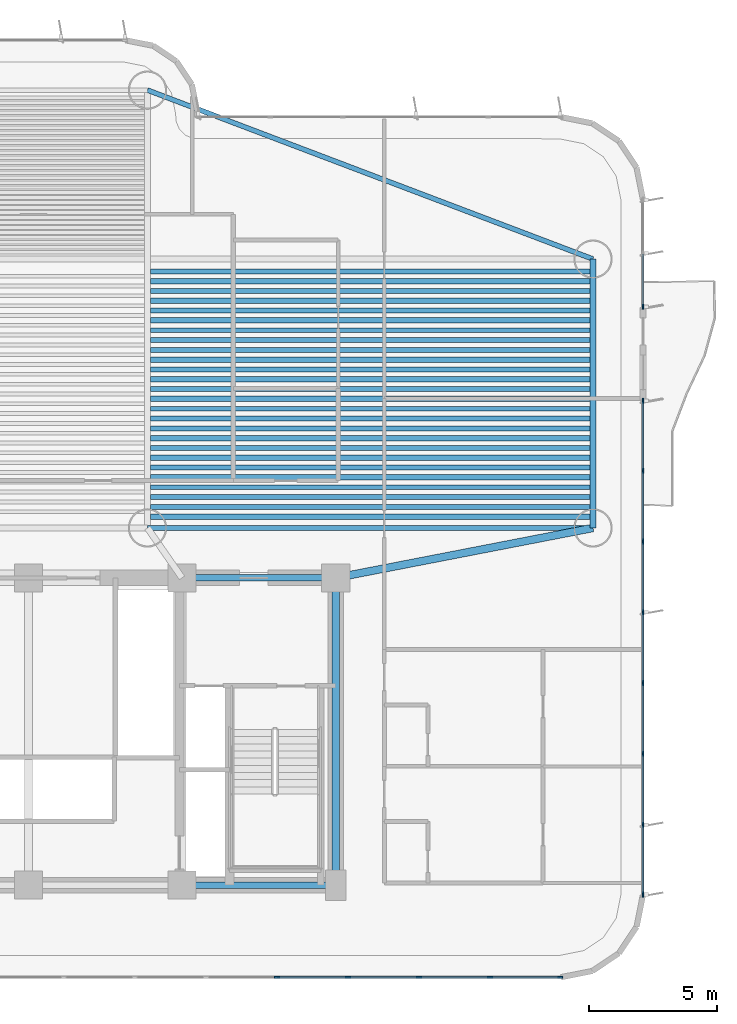
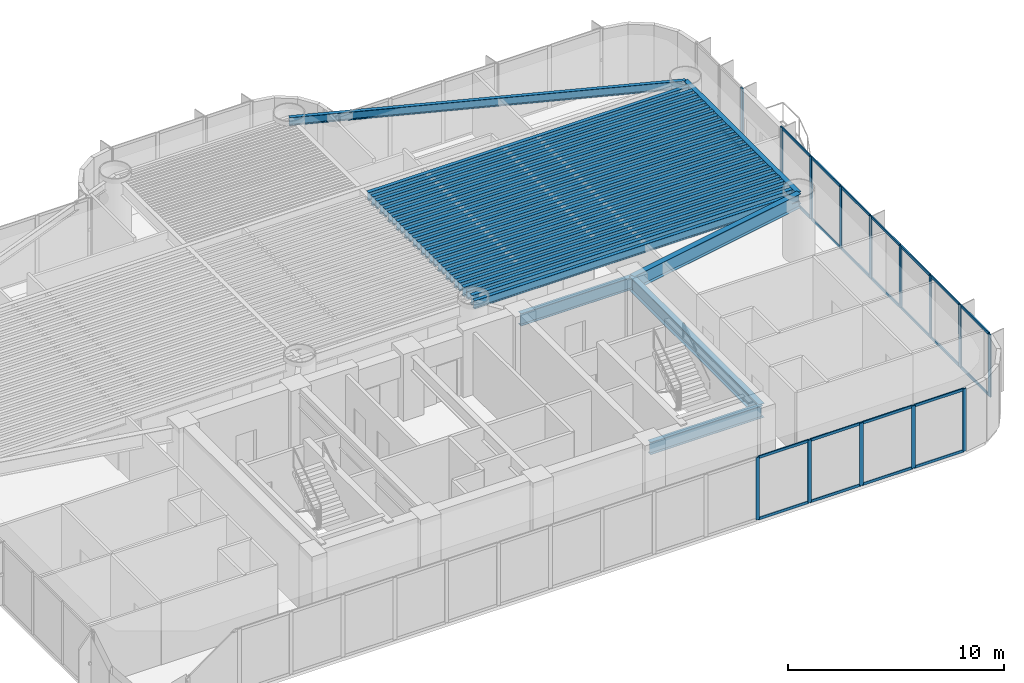
# One storey, part 5 of 17: 37 members, 33 beams, 3 elements without a shape of their own.
"""IFC4 building model written with IfcOpenShell, lengths in metres."""

from ifc_helpers import new_model, si_unit, direction, frame, origin, origin_2d, place, context, subcontext, project, spatial, rectangle, i_section, extrude, source, transform, mapped, material, layer, layer_set, material_profile, profile_set, type_object, element, aggregate, save


model = new_model("IFC4")

# Units and contexts
model_context = context("Model", 3, precision=1e-05, world=origin(), true_north=direction((0.0, 1.0)))
body_context = subcontext(model_context, "Body", "Model", "MODEL_VIEW")
ifc_project = project(units=[si_unit("LENGTHUNIT", "METRE"), si_unit("AREAUNIT", "SQUARE_METRE"), si_unit("VOLUMEUNIT", "CUBIC_METRE"), si_unit("PLANEANGLEUNIT", "RADIAN"), si_unit("MASSUNIT", "GRAM", prefix="KILO")], contexts=[model_context])

# Site, building, storey
site_placement = place(None, origin())
site = spatial("IfcSite", under=ifc_project, at=site_placement, CompositionType="ELEMENT")
building_placement = place(site_placement, origin())
building = spatial("IfcBuilding", under=site, at=building_placement, Name="Brelvock Crest Care Tower", CompositionType="ELEMENT")
storey_placement = place(building_placement, frame((0.0, 0.0, 53.4599609375)))
storey = spatial("IfcBuildingStorey", under=building, at=storey_placement, Name="L13", CompositionType="ELEMENT", Elevation=53.4599609375)

# Beams
ifc_material_1 = material(Name="Steel Grade 350", Category="steel")
ifc_material_profile_1 = material_profile(ifc_material_1, i_section(OverallWidth=0.25, OverallDepth=0.699951171875, WebThickness=0.011962890625, FlangeThickness=0.02001953125, at=origin_2d()), Name="700WB150")
ifc_profile_set_1 = profile_set([ifc_material_profile_1], Name="Steel Grade 350")
beam_type_1 = type_object("IfcBeamType", Name="BM-G4", PredefinedType="BEAM", material=ifc_profile_set_1)
shared_shape_1 = source(origin(), body_context, "Body", "SweptSolid", [
    extrude(i_section(OverallWidth=0.25, OverallDepth=0.699951171875, WebThickness=0.011962890625, FlangeThickness=0.02001953125, at=origin_2d()), origin(), (0.0, 0.0, 1.0), 6.0),
])
for number, where, z_axis, x_axis, name in (
    (1, (42.0, 6.0, 3.179931640625), (1.0, 0.0, 0.0), (0.0, 1.0, 0.0), "BM-CORES-L13-4"),
    (2, (42.0, 18.0, 3.179931640625), (1.0, 0.0, 0.0), (0.0, 1.0, 0.0), "BM-COREN-L13-4"),
):
    element("IfcBeam", number, at=place(storey_placement, frame(where, z_axis=z_axis, x_axis=x_axis)), inside=storey, type_object=beam_type_1, Name=name, PredefinedType="BEAM", context=body_context, shape_type="MappedRepresentation", body=[
        mapped(shared_shape_1, transform((0.0, 0.0, 0.0), x_axis=(1.0, 0.0, 0.0), y_axis=(0.0, 1.0, 0.0), z_axis=(0.0, 0.0, 1.0), scale=1.0)),
    ])
ifc_material_profile_2 = material_profile(ifc_material_1, i_section(OverallWidth=0.300048828125, OverallDepth=0.800048828125, WebThickness=0.013916015625, FlangeThickness=0.02197265625, at=origin_2d()), Name="800WB192")
ifc_profile_set_2 = profile_set([ifc_material_profile_2], Name="Steel Grade 350")
beam_type_2 = type_object("IfcBeamType", Name="BM-G5", PredefinedType="BEAM", material=ifc_profile_set_2)
shared_shape_2 = source(origin(), body_context, "Body", "SweptSolid", [
    extrude(i_section(OverallWidth=0.300048828125, OverallDepth=0.800048828125, WebThickness=0.013916015625, FlangeThickness=0.02197265625, at=origin_2d()), origin(), (0.0, 0.0, 1.0), 12.0),
])
beam_1_placement = place(storey_placement, frame((48.0, 6.0, 3.130126953125), z_axis=(0.0, 1.0, 0.0), x_axis=(-1.0, 0.0, 0.0)))
element("IfcBeam", 3, at=beam_1_placement, inside=storey, type_object=beam_type_2, Name="BM-COREX-L13-5", PredefinedType="BEAM", context=body_context, shape_type="MappedRepresentation", body=[
    mapped(shared_shape_2, transform((0.0, 0.0, 0.0), x_axis=(1.0, 0.0, 0.0), y_axis=(0.0, 1.0, 0.0), z_axis=(0.0, 0.0, 1.0), scale=1.0)),
])
shared_shape_3 = source(origin(), body_context, "Body", "SweptSolid", [
    extrude(i_section(OverallWidth=0.25, OverallDepth=0.699951171875, WebThickness=0.011962890625, FlangeThickness=0.02001953125, at=origin_2d()), origin(), (0.0, 0.0, 1.0), 10.5),
])
beam_2_placement = place(storey_placement, frame((58.050048828125, 19.949951171875, 3.179931640625), z_axis=(0.0, 1.0, 0.0), x_axis=(-1.0, 0.0, 0.0)))
element("IfcBeam", 4, at=beam_2_placement, inside=storey, type_object=beam_type_1, Name="BM-TWR-L13-02", PredefinedType="BEAM", context=body_context, shape_type="MappedRepresentation", body=[
    mapped(shared_shape_3, transform((0.0, 0.0, 0.0), x_axis=(1.0, 0.0, 0.0), y_axis=(0.0, 1.0, 0.0), z_axis=(0.0, 0.0, 1.0), scale=1.0)),
])
ifc_material_profile_3 = material_profile(ifc_material_1, i_section(OverallWidth=0.19091796875, OverallDepth=0.4599609375, WebThickness=0.010009765625, FlangeThickness=0.01611328125, FilletRadius=0.011474609375, at=origin_2d()), Name="460UB82.1")
ifc_profile_set_3 = profile_set([ifc_material_profile_3], Name="Steel Grade 350")
beam_type_3 = type_object("IfcBeamType", Name="BM-SP2", PredefinedType="SPANDREL", material=ifc_profile_set_3)
shared_shape_4 = source(origin(), body_context, "Body", "SweptSolid", [
    extrude(i_section(OverallWidth=0.19091796875, OverallDepth=0.4599609375, WebThickness=0.010009765625, FlangeThickness=0.01611328125, FilletRadius=0.011474609375, at=origin_2d()), origin(), (0.0, 0.0, 1.0), 17.400146484375),
])
beam_3_placement = place(storey_placement, frame((40.64990234375, 19.949951171875, 3.300048828125), z_axis=(1.0, 0.0, 0.0), x_axis=(0.0, 1.0, 0.0)))
element("IfcBeam", 5, at=beam_3_placement, inside=storey, type_object=beam_type_3, Name="BM-TWR-L13-04", PredefinedType="SPANDREL", context=body_context, shape_type="MappedRepresentation", body=[
    mapped(shared_shape_4, transform((0.0, 0.0, 0.0), x_axis=(1.0, 0.0, 0.0), y_axis=(0.0, 1.0, 0.0), z_axis=(0.0, 0.0, 1.0), scale=1.0)),
])
shared_shape_5 = source(origin(), body_context, "Body", "SweptSolid", [
    extrude(i_section(OverallWidth=0.19091796875, OverallDepth=0.4599609375, WebThickness=0.010009765625, FlangeThickness=0.01611328125, FilletRadius=0.011474609375, at=origin_2d()), origin(), (0.0, 0.0, 1.0), 18.60986328125),
])
beam_4_placement = place(storey_placement, frame((40.64990234375, 37.050048828125, 3.300048828125), z_axis=(0.934996776275, -0.3546562115, 0.0), x_axis=(0.3546562115, 0.934996776275, 0.0)))
element("IfcBeam", 6, at=beam_4_placement, inside=storey, type_object=beam_type_3, Name="BM-TWR-L13-07", PredefinedType="SPANDREL", context=body_context, shape_type="MappedRepresentation", body=[
    mapped(shared_shape_5, transform((0.0, 0.0, 0.0), x_axis=(1.0, 0.0, 0.0), y_axis=(0.0, 1.0, 0.0), z_axis=(0.0, 0.0, 1.0), scale=1.0)),
])
shared_shape_6 = source(origin(), body_context, "Body", "SweptSolid", [
    extrude(i_section(OverallWidth=0.300048828125, OverallDepth=0.800048828125, WebThickness=0.013916015625, FlangeThickness=0.02197265625, at=origin_2d()), origin(), (0.0, 0.0, 1.0), 10.237548828125),
])
beam_5_placement = place(storey_placement, frame((48.0, 18.0, 3.130126953125), z_axis=(0.981692632568, 0.190471979991, 0.0), x_axis=(-0.190471979991, 0.981692632568, 0.0)))
element("IfcBeam", 7, at=beam_5_placement, inside=storey, type_object=beam_type_2, Name="BM-THRO-E-L13", PredefinedType="BEAM", context=body_context, shape_type="MappedRepresentation", body=[
    mapped(shared_shape_6, transform((0.0, 0.0, 0.0), x_axis=(1.0, 0.0, 0.0), y_axis=(0.0, 1.0, 0.0), z_axis=(0.0, 0.0, 1.0), scale=1.0)),
])
ifc_material_profile_4 = material_profile(ifc_material_1, i_section(OverallWidth=0.208984375, OverallDepth=0.532958984375, WebThickness=0.01025390625, FlangeThickness=0.015625, FilletRadius=0.013916015625, at=origin_2d()), Name="530UB92.4")
ifc_profile_set_4 = profile_set([ifc_material_profile_4], Name="Steel Grade 350")
beam_type_4 = type_object("IfcBeamType", Name="BM-G2", PredefinedType="BEAM", material=ifc_profile_set_4)
shared_shape_7 = source(origin(), body_context, "Body", "SweptSolid", [
    extrude(i_section(OverallWidth=0.208984375, OverallDepth=0.532958984375, WebThickness=0.01025390625, FlangeThickness=0.015625, FilletRadius=0.013916015625, at=origin_2d()), origin(), (0.0, 0.0, 1.0), 17.170166015625),
])
for number, where, z_axis, x_axis, name in (
    (8, (40.764892578125, 20.39111328125, 3.263427734375), (1.0, 0.0, 0.0), (0.0, 1.0, 0.0), "BM-JE-L13-1"),
    (9, (40.764892578125, 21.157470703125, 3.263427734375), (1.0, 0.0, 0.0), (0.0, 1.0, 0.0), "BM-JE-L13-3"),
    (10, (40.764892578125, 21.924072265625, 3.263427734375), (1.0, 0.0, 0.0), (0.0, 1.0, 0.0), "BM-JE-L13-5"),
    (11, (40.764892578125, 22.6904296875, 3.263427734375), (1.0, 0.0, 0.0), (0.0, 1.0, 0.0), "BM-JE-L13-7"),
    (12, (40.764892578125, 23.45703125, 3.263427734375), (1.0, 0.0, 0.0), (0.0, 1.0, 0.0), "BM-JE-L13-9"),
    (13, (40.764892578125, 24.223388671875, 3.263427734375), (1.0, 0.0, 0.0), (0.0, 1.0, 0.0), "BM-JE-L13-11"),
    (14, (40.764892578125, 24.989990234375, 3.263427734375), (1.0, 0.0, 0.0), (0.0, 1.0, 0.0), "BM-JE-L13-13"),
    (15, (40.764892578125, 25.756591796875, 3.263427734375), (1.0, 0.0, 0.0), (0.0, 1.0, 0.0), "BM-JE-L13-15"),
    (16, (40.764892578125, 26.52294921875, 3.263427734375), (1.0, 0.0, 0.0), (0.0, 1.0, 0.0), "BM-JE-L13-17"),
    (17, (40.764892578125, 27.28955078125, 3.263427734375), (1.0, 0.0, 0.0), (0.0, 1.0, 0.0), "BM-JE-L13-19"),
    (18, (40.764892578125, 28.055908203125, 3.263427734375), (1.0, 0.0, 0.0), (0.0, 1.0, 0.0), "BM-JE-L13-21"),
    (19, (40.764892578125, 28.822509765625, 3.263427734375), (1.0, 0.0, 0.0), (0.0, 1.0, 0.0), "BM-JE-L13-23"),
    (20, (40.764892578125, 29.589111328125, 3.263427734375), (1.0, 0.0, 0.0), (0.0, 1.0, 0.0), "BM-JE-L13-25"),
):
    element("IfcBeam", number, at=place(storey_placement, frame(where, z_axis=z_axis, x_axis=x_axis)), inside=storey, type_object=beam_type_4, Name=name, PredefinedType="BEAM", context=body_context, shape_type="MappedRepresentation", body=[
        mapped(shared_shape_7, transform((0.0, 0.0, 0.0), x_axis=(1.0, 0.0, 0.0), y_axis=(0.0, 1.0, 0.0), z_axis=(0.0, 0.0, 1.0), scale=1.0)),
    ])
ifc_material_profile_5 = material_profile(ifc_material_1, i_section(OverallWidth=0.19091796875, OverallDepth=0.4599609375, WebThickness=0.010009765625, FlangeThickness=0.01611328125, FilletRadius=0.011474609375, at=origin_2d()), Name="460UB82.1")
ifc_profile_set_5 = profile_set([ifc_material_profile_5], Name="Steel Grade 350")
beam_type_5 = type_object("IfcBeamType", Name="BM-G3", PredefinedType="BEAM", material=ifc_profile_set_5)
shared_shape_8 = source(origin(), body_context, "Body", "SweptSolid", [
    extrude(i_section(OverallWidth=0.19091796875, OverallDepth=0.4599609375, WebThickness=0.010009765625, FlangeThickness=0.01611328125, FilletRadius=0.011474609375, at=origin_2d()), origin(), (0.0, 0.0, 1.0), 17.170166015625),
])
for number, where, z_axis, x_axis, name in (
    (21, (40.764892578125, 20.774169921875, 3.300048828125), (1.0, 0.0, 0.0), (0.0, 1.0, 0.0), "BM-JE-L13-2"),
    (22, (40.764892578125, 21.540771484375, 3.300048828125), (1.0, 0.0, 0.0), (0.0, 1.0, 0.0), "BM-JE-L13-4"),
    (23, (40.764892578125, 22.30712890625, 3.300048828125), (1.0, 0.0, 0.0), (0.0, 1.0, 0.0), "BM-JE-L13-6"),
    (24, (40.764892578125, 23.07373046875, 3.300048828125), (1.0, 0.0, 0.0), (0.0, 1.0, 0.0), "BM-JE-L13-8"),
    (25, (40.764892578125, 23.840087890625, 3.300048828125), (1.0, 0.0, 0.0), (0.0, 1.0, 0.0), "BM-JE-L13-10"),
    (26, (40.764892578125, 24.606689453125, 3.300048828125), (1.0, 0.0, 0.0), (0.0, 1.0, 0.0), "BM-JE-L13-12"),
    (27, (40.764892578125, 25.373291015625, 3.300048828125), (1.0, 0.0, 0.0), (0.0, 1.0, 0.0), "BM-JE-L13-14"),
    (28, (40.764892578125, 26.1396484375, 3.300048828125), (1.0, 0.0, 0.0), (0.0, 1.0, 0.0), "BM-JE-L13-16"),
    (29, (40.764892578125, 26.90625, 3.300048828125), (1.0, 0.0, 0.0), (0.0, 1.0, 0.0), "BM-JE-L13-18"),
    (30, (40.764892578125, 27.6728515625, 3.300048828125), (1.0, 0.0, 0.0), (0.0, 1.0, 0.0), "BM-JE-L13-20"),
    (31, (40.764892578125, 28.439208984375, 3.300048828125), (1.0, 0.0, 0.0), (0.0, 1.0, 0.0), "BM-JE-L13-22"),
    (32, (40.764892578125, 29.205810546875, 3.300048828125), (1.0, 0.0, 0.0), (0.0, 1.0, 0.0), "BM-JE-L13-24"),
    (33, (40.764892578125, 29.97216796875, 3.300048828125), (1.0, 0.0, 0.0), (0.0, 1.0, 0.0), "BM-JE-L13-26"),
):
    element("IfcBeam", number, at=place(storey_placement, frame(where, z_axis=z_axis, x_axis=x_axis)), inside=storey, type_object=beam_type_5, Name=name, PredefinedType="BEAM", context=body_context, shape_type="MappedRepresentation", body=[
        mapped(shared_shape_8, transform((0.0, 0.0, 0.0), x_axis=(1.0, 0.0, 0.0), y_axis=(0.0, 1.0, 0.0), z_axis=(0.0, 0.0, 1.0), scale=1.0)),
    ])

# Curtain wall, member
ifc_material_2 = material(Name="Dark Glass Double Glazed Low-E", Category="glass")
ifc_layer = layer(ifc_material_2, 0.195068359375, Name="CWS-2")
ifc_layer_set = layer_set([ifc_layer], Name="Dark Glass Double Glazed Low-E")
curtain_wall_type = type_object("IfcCurtainWallType", Name="CWS-2", PredefinedType="NOTDEFINED", material=ifc_layer_set)
curtain_wall_1_placement = place(storey_placement, origin())
curtain_wall_1 = element("IfcCurtainWall", 34, at=curtain_wall_1_placement, inside=storey, type_object=curtain_wall_type, Name="L13 Curtain Wall E03A", PredefinedType="NOTDEFINED")
ifc_material_3 = material(Name="Aluminium 6063-T6", Category="aluminium")
ifc_material_profile_6 = material_profile(ifc_material_3, rectangle(XDim=0.06494140625, YDim=0.199951171875, at=origin_2d()), Name="ALU65x200")
ifc_profile_set_6 = profile_set([ifc_material_profile_6], Name="Aluminium 6063-T6")
member_type_1 = type_object("IfcMemberType", Name="CWM-1", PredefinedType="MULLION", material=ifc_profile_set_6)
shared_shape_9 = source(origin(), body_context, "Body", "SweptSolid", [
    extrude(rectangle(XDim=0.06494140625, YDim=0.199951171875, at=origin_2d()), origin(), (0.0, 0.0, 1.0), 3.530029296875),
])
member_1_placement = place(storey_placement, frame((60.0, 28.58251953125, 0.0), z_axis=(0.0, 0.0, 1.0), x_axis=(1.0, 0.0, 0.0)))
member_1 = element("IfcMember", 35, at=member_1_placement, type_object=member_type_1, Name="CW-2 mullion 3", PredefinedType="MULLION", context=body_context, shape_type="MappedRepresentation", body=[
    mapped(shared_shape_9, transform((0.0, 0.0, 0.0), x_axis=(1.0, 0.0, 0.0), y_axis=(0.0, 1.0, 0.0), z_axis=(0.0, 0.0, 1.0), scale=1.0)),
])

# Curtain wall, members
curtain_wall_2_placement = place(storey_placement, origin())
curtain_wall_2 = element("IfcCurtainWall", 36, at=curtain_wall_2_placement, inside=storey, type_object=curtain_wall_type, Name="L13 Curtain Wall E03B", PredefinedType="NOTDEFINED")
member_2_placement = place(storey_placement, frame((60.0, 24.91748046875, 0.0), z_axis=(0.0, 0.0, 1.0), x_axis=(1.0, 0.0, 0.0)))
member_2 = element("IfcMember", 37, at=member_2_placement, type_object=member_type_1, Name="CW-2 mullion 1", PredefinedType="MULLION", context=body_context, shape_type="MappedRepresentation", body=[
    mapped(shared_shape_9, transform((0.0, 0.0, 0.0), x_axis=(1.0, 0.0, 0.0), y_axis=(0.0, 1.0, 0.0), z_axis=(0.0, 0.0, 1.0), scale=1.0)),
])
member_3_placement = place(storey_placement, frame((60.0, 22.185791015625, 0.0), z_axis=(0.0, 0.0, 1.0), x_axis=(1.0, 0.0, 0.0)))
member_3 = element("IfcMember", 38, at=member_3_placement, type_object=member_type_1, Name="CW-2 mullion 2", PredefinedType="MULLION", context=body_context, shape_type="MappedRepresentation", body=[
    mapped(shared_shape_9, transform((0.0, 0.0, 0.0), x_axis=(1.0, 0.0, 0.0), y_axis=(0.0, 1.0, 0.0), z_axis=(0.0, 0.0, 1.0), scale=1.0)),
])
member_4_placement = place(storey_placement, frame((60.0, 19.42138671875, 0.0), z_axis=(0.0, 0.0, 1.0), x_axis=(1.0, 0.0, 0.0)))
member_4 = element("IfcMember", 39, at=member_4_placement, type_object=member_type_1, Name="CW-2 mullion 3", PredefinedType="MULLION", context=body_context, shape_type="MappedRepresentation", body=[
    mapped(shared_shape_9, transform((0.0, 0.0, 0.0), x_axis=(1.0, 0.0, 0.0), y_axis=(0.0, 1.0, 0.0), z_axis=(0.0, 0.0, 1.0), scale=1.0)),
])
member_5_placement = place(storey_placement, frame((60.0, 16.6572265625, 0.0), z_axis=(0.0, 0.0, 1.0), x_axis=(1.0, 0.0, 0.0)))
member_5 = element("IfcMember", 40, at=member_5_placement, type_object=member_type_1, Name="CW-2 mullion 4", PredefinedType="MULLION", context=body_context, shape_type="MappedRepresentation", body=[
    mapped(shared_shape_9, transform((0.0, 0.0, 0.0), x_axis=(1.0, 0.0, 0.0), y_axis=(0.0, 1.0, 0.0), z_axis=(0.0, 0.0, 1.0), scale=1.0)),
])
member_6_placement = place(storey_placement, frame((60.0, 13.892822265625, 0.0), z_axis=(0.0, 0.0, 1.0), x_axis=(1.0, 0.0, 0.0)))
member_6 = element("IfcMember", 41, at=member_6_placement, type_object=member_type_1, Name="CW-2 mullion 5", PredefinedType="MULLION", context=body_context, shape_type="MappedRepresentation", body=[
    mapped(shared_shape_9, transform((0.0, 0.0, 0.0), x_axis=(1.0, 0.0, 0.0), y_axis=(0.0, 1.0, 0.0), z_axis=(0.0, 0.0, 1.0), scale=1.0)),
])
member_7_placement = place(storey_placement, frame((60.0, 11.128662109375, 0.0), z_axis=(0.0, 0.0, 1.0), x_axis=(1.0, 0.0, 0.0)))
member_7 = element("IfcMember", 42, at=member_7_placement, type_object=member_type_1, Name="CW-2 mullion 6", PredefinedType="MULLION", context=body_context, shape_type="MappedRepresentation", body=[
    mapped(shared_shape_9, transform((0.0, 0.0, 0.0), x_axis=(1.0, 0.0, 0.0), y_axis=(0.0, 1.0, 0.0), z_axis=(0.0, 0.0, 1.0), scale=1.0)),
])
member_8_placement = place(storey_placement, frame((60.0, 8.3642578125, 0.0), z_axis=(0.0, 0.0, 1.0), x_axis=(1.0, 0.0, 0.0)))
member_8 = element("IfcMember", 43, at=member_8_placement, type_object=member_type_1, Name="CW-2 mullion 7", PredefinedType="MULLION", context=body_context, shape_type="MappedRepresentation", body=[
    mapped(shared_shape_9, transform((0.0, 0.0, 0.0), x_axis=(1.0, 0.0, 0.0), y_axis=(0.0, 1.0, 0.0), z_axis=(0.0, 0.0, 1.0), scale=1.0)),
])
member_9_placement = place(storey_placement, frame((60.0, 5.632568359375, 0.0), z_axis=(0.0, 0.0, 1.0), x_axis=(1.0, 0.0, 0.0)))
member_9 = element("IfcMember", 44, at=member_9_placement, type_object=member_type_1, Name="CW-2 mullion 8", PredefinedType="MULLION", context=body_context, shape_type="MappedRepresentation", body=[
    mapped(shared_shape_9, transform((0.0, 0.0, 0.0), x_axis=(1.0, 0.0, 0.0), y_axis=(0.0, 1.0, 0.0), z_axis=(0.0, 0.0, 1.0), scale=1.0)),
])

curtain_wall_3_placement = place(storey_placement, origin())
curtain_wall_3 = element("IfcCurtainWall", 45, at=curtain_wall_3_placement, inside=storey, type_object=curtain_wall_type, Name="L13 Curtain Wall E08", PredefinedType="NOTDEFINED")
member_10_placement = place(storey_placement, frame((56.767578125, 2.39990234375, 0.0), z_axis=(0.0, 0.0, 1.0), x_axis=(0.0, -1.0, 0.0)))
member_10 = element("IfcMember", 46, at=member_10_placement, type_object=member_type_1, Name="CW-2 mullion 1", PredefinedType="MULLION", context=body_context, shape_type="MappedRepresentation", body=[
    mapped(shared_shape_9, transform((0.0, 0.0, 0.0), x_axis=(1.0, 0.0, 0.0), y_axis=(0.0, 1.0, 0.0), z_axis=(0.0, 0.0, 1.0), scale=1.0)),
])
member_11_placement = place(storey_placement, frame((54.026611328125, 2.39990234375, 0.0), z_axis=(0.0, 0.0, 1.0), x_axis=(0.0, -1.0, 0.0)))
member_11 = element("IfcMember", 47, at=member_11_placement, type_object=member_type_1, Name="CW-2 mullion 2", PredefinedType="MULLION", context=body_context, shape_type="MappedRepresentation", body=[
    mapped(shared_shape_9, transform((0.0, 0.0, 0.0), x_axis=(1.0, 0.0, 0.0), y_axis=(0.0, 1.0, 0.0), z_axis=(0.0, 0.0, 1.0), scale=1.0)),
])
member_12_placement = place(storey_placement, frame((51.25341796875, 2.39990234375, 0.0), z_axis=(0.0, 0.0, 1.0), x_axis=(0.0, -1.0, 0.0)))
member_12 = element("IfcMember", 48, at=member_12_placement, type_object=member_type_1, Name="CW-2 mullion 3", PredefinedType="MULLION", context=body_context, shape_type="MappedRepresentation", body=[
    mapped(shared_shape_9, transform((0.0, 0.0, 0.0), x_axis=(1.0, 0.0, 0.0), y_axis=(0.0, 1.0, 0.0), z_axis=(0.0, 0.0, 1.0), scale=1.0)),
])
member_13_placement = place(storey_placement, frame((48.47998046875, 2.39990234375, 0.0), z_axis=(0.0, 0.0, 1.0), x_axis=(0.0, -1.0, 0.0)))
member_13 = element("IfcMember", 49, at=member_13_placement, type_object=member_type_1, Name="CW-2 mullion 4", PredefinedType="MULLION", context=body_context, shape_type="MappedRepresentation", body=[
    mapped(shared_shape_9, transform((0.0, 0.0, 0.0), x_axis=(1.0, 0.0, 0.0), y_axis=(0.0, 1.0, 0.0), z_axis=(0.0, 0.0, 1.0), scale=1.0)),
])
member_14_placement = place(storey_placement, frame((45.706787109375, 2.39990234375, 0.0), z_axis=(0.0, 0.0, 1.0), x_axis=(0.0, -1.0, 0.0)))
member_14 = element("IfcMember", 50, at=member_14_placement, type_object=member_type_1, Name="CW-2 mullion 5", PredefinedType="MULLION", context=body_context, shape_type="MappedRepresentation", body=[
    mapped(shared_shape_9, transform((0.0, 0.0, 0.0), x_axis=(1.0, 0.0, 0.0), y_axis=(0.0, 1.0, 0.0), z_axis=(0.0, 0.0, 1.0), scale=1.0)),
])
ifc_material_profile_7 = material_profile(ifc_material_3, rectangle(XDim=0.06494140625, YDim=0.14990234375, at=origin_2d()), Name="ALU65x150")
ifc_profile_set_7 = profile_set([ifc_material_profile_7], Name="Aluminium 6063-T6")
member_type_2 = type_object("IfcMemberType", Name="CWT-1", PredefinedType="USERDEFINED", material=ifc_profile_set_7)
shared_shape_10 = source(origin(), body_context, "Body", "SweptSolid", [
    extrude(rectangle(XDim=0.06494140625, YDim=0.14990234375, at=origin_2d()), origin(), (0.0, 0.0, 1.0), 2.676025390625),
])
member_15_placement = place(storey_placement, frame((56.735107421875, 2.39990234375, 0.032470703125), z_axis=(-1.0, 0.0, 0.0), x_axis=(0.0, -1.0, 0.0)))
member_15 = element("IfcMember", 51, at=member_15_placement, type_object=member_type_2, Name="CW-2 transom 1.1", ObjectType="TRANSOM", PredefinedType="USERDEFINED", context=body_context, shape_type="MappedRepresentation", body=[
    mapped(shared_shape_10, transform((0.0, 0.0, 0.0), x_axis=(1.0, 0.0, 0.0), y_axis=(0.0, 1.0, 0.0), z_axis=(0.0, 0.0, 1.0), scale=1.0)),
])
member_16_placement = place(storey_placement, frame((56.735107421875, 2.39990234375, 3.49755859375), z_axis=(-1.0, 0.0, 0.0), x_axis=(0.0, -1.0, 0.0)))
member_16 = element("IfcMember", 52, at=member_16_placement, type_object=member_type_2, Name="CW-2 transom 1.2", ObjectType="TRANSOM", PredefinedType="USERDEFINED", context=body_context, shape_type="MappedRepresentation", body=[
    mapped(shared_shape_10, transform((0.0, 0.0, 0.0), x_axis=(1.0, 0.0, 0.0), y_axis=(0.0, 1.0, 0.0), z_axis=(0.0, 0.0, 1.0), scale=1.0)),
])
shared_shape_11 = source(origin(), body_context, "Body", "SweptSolid", [
    extrude(rectangle(XDim=0.06494140625, YDim=0.14990234375, at=origin_2d()), origin(), (0.0, 0.0, 1.0), 2.708251953125),
])
member_17_placement = place(storey_placement, frame((53.994140625, 2.39990234375, 0.032470703125), z_axis=(-1.0, 0.0, 0.0), x_axis=(0.0, -1.0, 0.0)))
member_17 = element("IfcMember", 53, at=member_17_placement, type_object=member_type_2, Name="CW-2 transom 2.1", ObjectType="TRANSOM", PredefinedType="USERDEFINED", context=body_context, shape_type="MappedRepresentation", body=[
    mapped(shared_shape_11, transform((0.0, 0.0, 0.0), x_axis=(1.0, 0.0, 0.0), y_axis=(0.0, 1.0, 0.0), z_axis=(0.0, 0.0, 1.0), scale=1.0)),
])
member_18_placement = place(storey_placement, frame((53.994140625, 2.39990234375, 3.49755859375), z_axis=(-1.0, 0.0, 0.0), x_axis=(0.0, -1.0, 0.0)))
member_18 = element("IfcMember", 54, at=member_18_placement, type_object=member_type_2, Name="CW-2 transom 2.2", ObjectType="TRANSOM", PredefinedType="USERDEFINED", context=body_context, shape_type="MappedRepresentation", body=[
    mapped(shared_shape_11, transform((0.0, 0.0, 0.0), x_axis=(1.0, 0.0, 0.0), y_axis=(0.0, 1.0, 0.0), z_axis=(0.0, 0.0, 1.0), scale=1.0)),
])
member_19_placement = place(storey_placement, frame((48.447509765625, 2.39990234375, 0.032470703125), z_axis=(-1.0, 0.0, 0.0), x_axis=(0.0, -1.0, 0.0)))
member_19 = element("IfcMember", 55, at=member_19_placement, type_object=member_type_2, Name="CW-2 transom 4.1", ObjectType="TRANSOM", PredefinedType="USERDEFINED", context=body_context, shape_type="MappedRepresentation", body=[
    mapped(shared_shape_11, transform((0.0, 0.0, 0.0), x_axis=(1.0, 0.0, 0.0), y_axis=(0.0, 1.0, 0.0), z_axis=(0.0, 0.0, 1.0), scale=1.0)),
])
member_20_placement = place(storey_placement, frame((48.447509765625, 2.39990234375, 3.49755859375), z_axis=(-1.0, 0.0, 0.0), x_axis=(0.0, -1.0, 0.0)))
member_20 = element("IfcMember", 56, at=member_20_placement, type_object=member_type_2, Name="CW-2 transom 4.2", ObjectType="TRANSOM", PredefinedType="USERDEFINED", context=body_context, shape_type="MappedRepresentation", body=[
    mapped(shared_shape_11, transform((0.0, 0.0, 0.0), x_axis=(1.0, 0.0, 0.0), y_axis=(0.0, 1.0, 0.0), z_axis=(0.0, 0.0, 1.0), scale=1.0)),
])
shared_shape_12 = source(origin(), body_context, "Body", "SweptSolid", [
    extrude(rectangle(XDim=0.06494140625, YDim=0.14990234375, at=origin_2d()), origin(), (0.0, 0.0, 1.0), 2.70849609375),
])
member_21_placement = place(storey_placement, frame((51.220947265625, 2.39990234375, 0.032470703125), z_axis=(-1.0, 0.0, 0.0), x_axis=(0.0, -1.0, 0.0)))
member_21 = element("IfcMember", 57, at=member_21_placement, type_object=member_type_2, Name="CW-2 transom 3.1", ObjectType="TRANSOM", PredefinedType="USERDEFINED", context=body_context, shape_type="MappedRepresentation", body=[
    mapped(shared_shape_12, transform((0.0, 0.0, 0.0), x_axis=(1.0, 0.0, 0.0), y_axis=(0.0, 1.0, 0.0), z_axis=(0.0, 0.0, 1.0), scale=1.0)),
])
member_22_placement = place(storey_placement, frame((51.220947265625, 2.39990234375, 3.49755859375), z_axis=(-1.0, 0.0, 0.0), x_axis=(0.0, -1.0, 0.0)))
member_22 = element("IfcMember", 58, at=member_22_placement, type_object=member_type_2, Name="CW-2 transom 3.2", ObjectType="TRANSOM", PredefinedType="USERDEFINED", context=body_context, shape_type="MappedRepresentation", body=[
    mapped(shared_shape_12, transform((0.0, 0.0, 0.0), x_axis=(1.0, 0.0, 0.0), y_axis=(0.0, 1.0, 0.0), z_axis=(0.0, 0.0, 1.0), scale=1.0)),
])
aggregate(curtain_wall_3, [member_10, member_11, member_12, member_13, member_14, member_15, member_16, member_17, member_18, member_21, member_22, member_19, member_20])

# Member
shared_shape_13 = source(origin(), body_context, "Body", "SweptSolid", [
    extrude(rectangle(XDim=0.06494140625, YDim=0.14990234375, at=origin_2d()), origin(), (0.0, 0.0, 1.0), 2.027587890625),
])
member_23_placement = place(storey_placement, frame((60.0, 30.642578125, 0.032470703125), z_axis=(0.0, -1.0, 0.0), x_axis=(1.0, 0.0, 0.0)))
member_23 = element("IfcMember", 59, at=member_23_placement, type_object=member_type_2, Name="CW-2 transom 2.1", ObjectType="TRANSOM", PredefinedType="USERDEFINED", context=body_context, shape_type="MappedRepresentation", body=[
    mapped(shared_shape_13, transform((0.0, 0.0, 0.0), x_axis=(1.0, 0.0, 0.0), y_axis=(0.0, 1.0, 0.0), z_axis=(0.0, 0.0, 1.0), scale=1.0)),
])

aggregate(curtain_wall_1, [member_1, member_23])

shared_shape_14 = source(origin(), body_context, "Body", "SweptSolid", [
    extrude(rectangle(XDim=0.06494140625, YDim=0.14990234375, at=origin_2d()), origin(), (0.0, 0.0, 1.0), 2.666748046875),
])
member_24_placement = place(storey_placement, frame((60.0, 24.885009765625, 0.032470703125), z_axis=(0.0, -1.0, 0.0), x_axis=(1.0, 0.0, 0.0)))
member_24 = element("IfcMember", 60, at=member_24_placement, type_object=member_type_2, Name="CW-2 transom 1.1", ObjectType="TRANSOM", PredefinedType="USERDEFINED", context=body_context, shape_type="MappedRepresentation", body=[
    mapped(shared_shape_14, transform((0.0, 0.0, 0.0), x_axis=(1.0, 0.0, 0.0), y_axis=(0.0, 1.0, 0.0), z_axis=(0.0, 0.0, 1.0), scale=1.0)),
])

member_25_placement = place(storey_placement, frame((60.0, 24.885009765625, 3.49755859375), z_axis=(0.0, -1.0, 0.0), x_axis=(1.0, 0.0, 0.0)))
member_25 = element("IfcMember", 61, at=member_25_placement, type_object=member_type_2, Name="CW-2 transom 1.2", ObjectType="TRANSOM", PredefinedType="USERDEFINED", context=body_context, shape_type="MappedRepresentation", body=[
    mapped(shared_shape_14, transform((0.0, 0.0, 0.0), x_axis=(1.0, 0.0, 0.0), y_axis=(0.0, 1.0, 0.0), z_axis=(0.0, 0.0, 1.0), scale=1.0)),
])

member_26_placement = place(storey_placement, frame((60.0, 8.331787109375, 0.032470703125), z_axis=(0.0, -1.0, 0.0), x_axis=(1.0, 0.0, 0.0)))
member_26 = element("IfcMember", 62, at=member_26_placement, type_object=member_type_2, Name="CW-2 transom 7.1", ObjectType="TRANSOM", PredefinedType="USERDEFINED", context=body_context, shape_type="MappedRepresentation", body=[
    mapped(shared_shape_14, transform((0.0, 0.0, 0.0), x_axis=(1.0, 0.0, 0.0), y_axis=(0.0, 1.0, 0.0), z_axis=(0.0, 0.0, 1.0), scale=1.0)),
])

member_27_placement = place(storey_placement, frame((60.0, 8.331787109375, 3.49755859375), z_axis=(0.0, -1.0, 0.0), x_axis=(1.0, 0.0, 0.0)))
member_27 = element("IfcMember", 63, at=member_27_placement, type_object=member_type_2, Name="CW-2 transom 7.2", ObjectType="TRANSOM", PredefinedType="USERDEFINED", context=body_context, shape_type="MappedRepresentation", body=[
    mapped(shared_shape_14, transform((0.0, 0.0, 0.0), x_axis=(1.0, 0.0, 0.0), y_axis=(0.0, 1.0, 0.0), z_axis=(0.0, 0.0, 1.0), scale=1.0)),
])

shared_shape_15 = source(origin(), body_context, "Body", "SweptSolid", [
    extrude(rectangle(XDim=0.06494140625, YDim=0.14990234375, at=origin_2d()), origin(), (0.0, 0.0, 1.0), 2.699462890625),
])
member_28_placement = place(storey_placement, frame((60.0, 22.1533203125, 0.032470703125), z_axis=(0.0, -1.0, 0.0), x_axis=(1.0, 0.0, 0.0)))
member_28 = element("IfcMember", 64, at=member_28_placement, type_object=member_type_2, Name="CW-2 transom 2.1", ObjectType="TRANSOM", PredefinedType="USERDEFINED", context=body_context, shape_type="MappedRepresentation", body=[
    mapped(shared_shape_15, transform((0.0, 0.0, 0.0), x_axis=(1.0, 0.0, 0.0), y_axis=(0.0, 1.0, 0.0), z_axis=(0.0, 0.0, 1.0), scale=1.0)),
])

member_29_placement = place(storey_placement, frame((60.0, 22.1533203125, 3.49755859375), z_axis=(0.0, -1.0, 0.0), x_axis=(1.0, 0.0, 0.0)))
member_29 = element("IfcMember", 65, at=member_29_placement, type_object=member_type_2, Name="CW-2 transom 2.2", ObjectType="TRANSOM", PredefinedType="USERDEFINED", context=body_context, shape_type="MappedRepresentation", body=[
    mapped(shared_shape_15, transform((0.0, 0.0, 0.0), x_axis=(1.0, 0.0, 0.0), y_axis=(0.0, 1.0, 0.0), z_axis=(0.0, 0.0, 1.0), scale=1.0)),
])

member_30_placement = place(storey_placement, frame((60.0, 16.624755859375, 0.032470703125), z_axis=(0.0, -1.0, 0.0), x_axis=(1.0, 0.0, 0.0)))
member_30 = element("IfcMember", 66, at=member_30_placement, type_object=member_type_2, Name="CW-2 transom 4.1", ObjectType="TRANSOM", PredefinedType="USERDEFINED", context=body_context, shape_type="MappedRepresentation", body=[
    mapped(shared_shape_15, transform((0.0, 0.0, 0.0), x_axis=(1.0, 0.0, 0.0), y_axis=(0.0, 1.0, 0.0), z_axis=(0.0, 0.0, 1.0), scale=1.0)),
])

member_31_placement = place(storey_placement, frame((60.0, 16.624755859375, 3.49755859375), z_axis=(0.0, -1.0, 0.0), x_axis=(1.0, 0.0, 0.0)))
member_31 = element("IfcMember", 67, at=member_31_placement, type_object=member_type_2, Name="CW-2 transom 4.2", ObjectType="TRANSOM", PredefinedType="USERDEFINED", context=body_context, shape_type="MappedRepresentation", body=[
    mapped(shared_shape_15, transform((0.0, 0.0, 0.0), x_axis=(1.0, 0.0, 0.0), y_axis=(0.0, 1.0, 0.0), z_axis=(0.0, 0.0, 1.0), scale=1.0)),
])

member_32_placement = place(storey_placement, frame((60.0, 11.09619140625, 0.032470703125), z_axis=(0.0, -1.0, 0.0), x_axis=(1.0, 0.0, 0.0)))
member_32 = element("IfcMember", 68, at=member_32_placement, type_object=member_type_2, Name="CW-2 transom 6.1", ObjectType="TRANSOM", PredefinedType="USERDEFINED", context=body_context, shape_type="MappedRepresentation", body=[
    mapped(shared_shape_15, transform((0.0, 0.0, 0.0), x_axis=(1.0, 0.0, 0.0), y_axis=(0.0, 1.0, 0.0), z_axis=(0.0, 0.0, 1.0), scale=1.0)),
])

member_33_placement = place(storey_placement, frame((60.0, 11.09619140625, 3.49755859375), z_axis=(0.0, -1.0, 0.0), x_axis=(1.0, 0.0, 0.0)))
member_33 = element("IfcMember", 69, at=member_33_placement, type_object=member_type_2, Name="CW-2 transom 6.2", ObjectType="TRANSOM", PredefinedType="USERDEFINED", context=body_context, shape_type="MappedRepresentation", body=[
    mapped(shared_shape_15, transform((0.0, 0.0, 0.0), x_axis=(1.0, 0.0, 0.0), y_axis=(0.0, 1.0, 0.0), z_axis=(0.0, 0.0, 1.0), scale=1.0)),
])

shared_shape_16 = source(origin(), body_context, "Body", "SweptSolid", [
    extrude(rectangle(XDim=0.06494140625, YDim=0.14990234375, at=origin_2d()), origin(), (0.0, 0.0, 1.0), 2.69921875),
])
member_34_placement = place(storey_placement, frame((60.0, 19.388916015625, 0.032470703125), z_axis=(0.0, -1.0, 0.0), x_axis=(1.0, 0.0, 0.0)))
member_34 = element("IfcMember", 70, at=member_34_placement, type_object=member_type_2, Name="CW-2 transom 3.1", ObjectType="TRANSOM", PredefinedType="USERDEFINED", context=body_context, shape_type="MappedRepresentation", body=[
    mapped(shared_shape_16, transform((0.0, 0.0, 0.0), x_axis=(1.0, 0.0, 0.0), y_axis=(0.0, 1.0, 0.0), z_axis=(0.0, 0.0, 1.0), scale=1.0)),
])

member_35_placement = place(storey_placement, frame((60.0, 19.388916015625, 3.49755859375), z_axis=(0.0, -1.0, 0.0), x_axis=(1.0, 0.0, 0.0)))
member_35 = element("IfcMember", 71, at=member_35_placement, type_object=member_type_2, Name="CW-2 transom 3.2", ObjectType="TRANSOM", PredefinedType="USERDEFINED", context=body_context, shape_type="MappedRepresentation", body=[
    mapped(shared_shape_16, transform((0.0, 0.0, 0.0), x_axis=(1.0, 0.0, 0.0), y_axis=(0.0, 1.0, 0.0), z_axis=(0.0, 0.0, 1.0), scale=1.0)),
])

member_36_placement = place(storey_placement, frame((60.0, 13.8603515625, 0.032470703125), z_axis=(0.0, -1.0, 0.0), x_axis=(1.0, 0.0, 0.0)))
member_36 = element("IfcMember", 72, at=member_36_placement, type_object=member_type_2, Name="CW-2 transom 5.1", ObjectType="TRANSOM", PredefinedType="USERDEFINED", context=body_context, shape_type="MappedRepresentation", body=[
    mapped(shared_shape_16, transform((0.0, 0.0, 0.0), x_axis=(1.0, 0.0, 0.0), y_axis=(0.0, 1.0, 0.0), z_axis=(0.0, 0.0, 1.0), scale=1.0)),
])

member_37_placement = place(storey_placement, frame((60.0, 13.8603515625, 3.49755859375), z_axis=(0.0, -1.0, 0.0), x_axis=(1.0, 0.0, 0.0)))
member_37 = element("IfcMember", 73, at=member_37_placement, type_object=member_type_2, Name="CW-2 transom 5.2", ObjectType="TRANSOM", PredefinedType="USERDEFINED", context=body_context, shape_type="MappedRepresentation", body=[
    mapped(shared_shape_16, transform((0.0, 0.0, 0.0), x_axis=(1.0, 0.0, 0.0), y_axis=(0.0, 1.0, 0.0), z_axis=(0.0, 0.0, 1.0), scale=1.0)),
])

aggregate(curtain_wall_2, [member_2, member_3, member_4, member_5, member_6, member_7, member_8, member_9, member_24, member_25, member_28, member_29, member_34, member_35, member_30, member_31, member_36, member_37, member_32, member_33, member_26, member_27])

save(model, "model.ifc")
